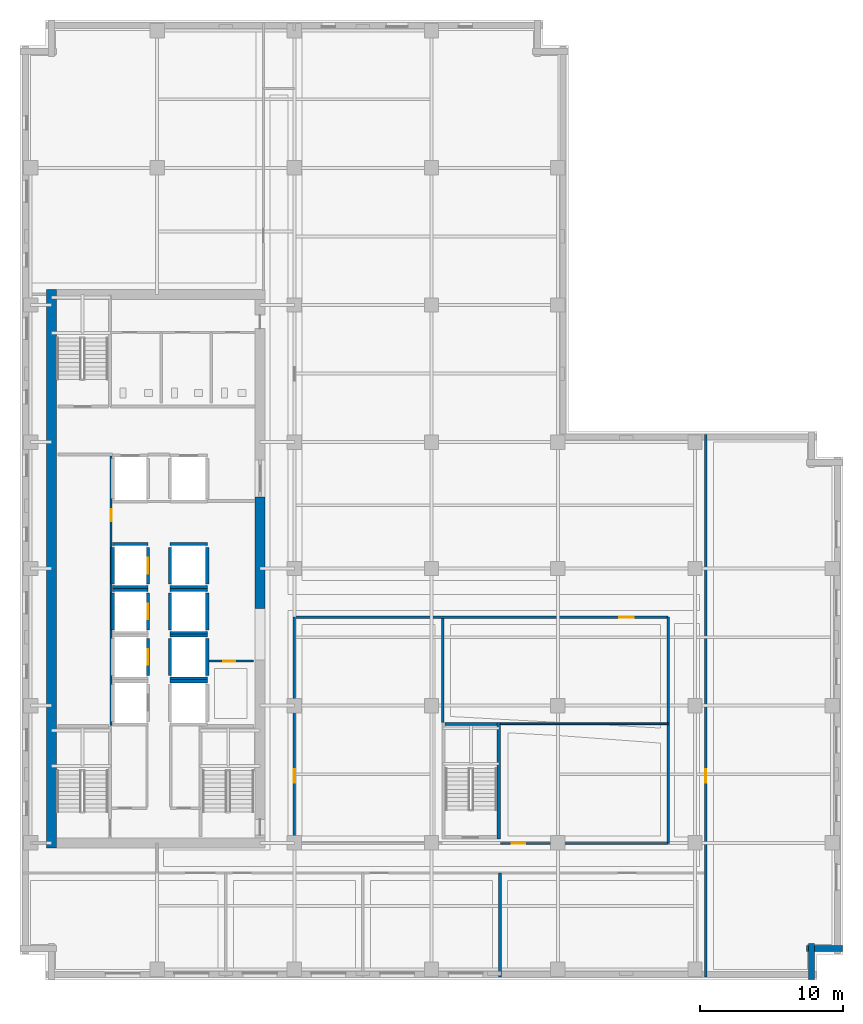
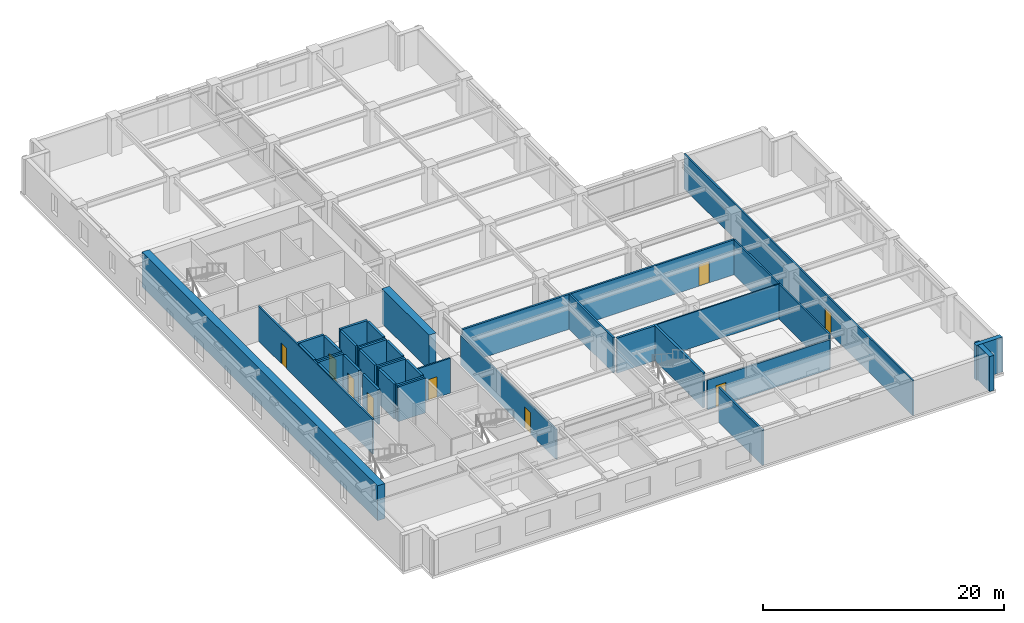
# One storey, part 4 of 11: 37 walls, 9 doors, 9 openings.
"""IFC4 building model written with IfcOpenShell, lengths in metres."""

from ifc_helpers import new_model, si_unit, direction, frame, frame_2d, origin, place, context, subcontext, project, spatial, rectangle, extrude, material, layer, layer_set, type_object, element, fill, save


model = new_model("IFC4")

# Units and contexts
model_context = context("Model", 3, precision=1e-05, world=origin(), true_north=direction((0.0, 1.0)))
body_context = subcontext(model_context, "Body", "Model", "MODEL_VIEW")
ifc_project = project(units=[si_unit("LENGTHUNIT", "METRE"), si_unit("AREAUNIT", "SQUARE_METRE"), si_unit("VOLUMEUNIT", "CUBIC_METRE"), si_unit("PLANEANGLEUNIT", "RADIAN"), si_unit("MASSUNIT", "GRAM", prefix="KILO")], contexts=[model_context])

# Site, building, storey
site_placement = place(None, origin())
site = spatial("IfcSite", under=ifc_project, at=site_placement, CompositionType="ELEMENT")
building_placement = place(site_placement, origin())
building = spatial("IfcBuilding", under=site, at=building_placement, Name="Norrvale University Quadrangle", CompositionType="ELEMENT")
storey_placement = place(building_placement, frame((0.0, 0.0, 128.0)))
storey = spatial("IfcBuildingStorey", under=building, at=storey_placement, Name="L32", CompositionType="ELEMENT", Elevation=128.0)

# Walls
ifc_material_1 = material(Name="Buff Norman Clay Brick Masonry", Category="masonry")
ifc_layer_1 = layer(ifc_material_1, 0.419921875, Name="Buff Norman Clay Brick Masonry")
ifc_layer_set_1 = layer_set([ifc_layer_1], Name="Buff Norman Clay Brick Masonry")
wall_type_1 = type_object("IfcWallType", Name="Wall Buff Brick 420", PredefinedType="SOLIDWALL", material=ifc_layer_set_1)
for number, where, z_axis, x_axis, name in (
    (1, (55.409912109375, 0.0400390625, 0.0), (0.0, 0.0, 1.0), (0.0, 1.0, 0.0), "Exterior Brick Facade Wall L32-02.1"),
    (2, (55.06005859375, 2.18994140625, 0.0), (0.0, 0.0, 1.0), (1.0, 0.0, 0.0), "Exterior Brick Facade Wall L32-03.1"),
):
    element("IfcWall", number, at=place(storey_placement, frame(where, z_axis=z_axis, x_axis=x_axis)), inside=storey, type_object=wall_type_1, Name=name, PredefinedType="SOLIDWALL", context=body_context, shape_type="SweptSolid", body=[
        extrude(rectangle(XDim=2.5, YDim=0.419921875, at=frame_2d((1.25, 0.0))), origin(), (0.0, 0.0, 1.0), 3.5400390625),
    ])
ifc_material_2 = material(Name="Concrete C60/75", Category="concrete")
ifc_layer_2 = layer(ifc_material_2, 0.699951171875, Name="Concrete C60/75")
ifc_layer_set_2 = layer_set([ifc_layer_2], Name="Concrete C60/75")
wall_type_2 = type_object("IfcWallType", Name="Wall Core 700", PredefinedType="SHEAR", material=ifc_layer_set_2)
wall_1_placement = place(storey_placement, frame((2.199951171875, 9.25, 0.0), z_axis=(0.0, 0.0, 1.0), x_axis=(0.0, 1.0, 0.0)))
element("IfcWall", 3, at=wall_1_placement, inside=storey, type_object=wall_type_2, Name="Tower Core Shear Wall L32-W", PredefinedType="SHEAR", context=body_context, shape_type="SweptSolid", body=[
    extrude(rectangle(XDim=39.10009765625, YDim=0.699951171875, at=frame_2d((19.550048828125, 0.0))), origin(), (0.0, 0.0, 1.0), 3.5400390625),
])
wall_2_placement = place(storey_placement, frame((16.800048828125, 26.0, 0.0), z_axis=(0.0, 0.0, 1.0), x_axis=(0.0, 1.0, 0.0)))
element("IfcWall", 4, at=wall_2_placement, inside=storey, type_object=wall_type_2, Name="Tower Core Shear Wall L32-E2", PredefinedType="SHEAR", context=body_context, shape_type="SweptSolid", body=[
    extrude(rectangle(XDim=7.800048828125, YDim=0.699951171875, at=frame_2d((3.89990234375, 0.0))), origin(), (0.0, 0.0, 1.0), 3.5400390625),
])
ifc_material_3 = material(Name="Standard Academic Gypsum Partition")
ifc_layer_3 = layer(ifc_material_3, 0.125, Name="Standard Academic Gypsum Partition")
ifc_layer_set_3 = layer_set([ifc_layer_3], Name="Standard Academic Gypsum Partition")
wall_type_3 = type_object("IfcWallType", Name="Wall Gypsum Academic 125", PredefinedType="PARTITIONING", material=ifc_layer_set_3)
wall_3_placement = place(storey_placement, frame((33.6201171875, 17.93994140625, 0.0), z_axis=(0.0, 0.0, 1.0), x_axis=(1.0, 0.0, 0.0)))
element("IfcWall", 5, at=wall_3_placement, inside=storey, type_object=wall_type_3, Name="Interior Partition WL-L32-ISLH", PredefinedType="PARTITIONING", context=body_context, shape_type="SweptSolid", body=[
    extrude(rectangle(XDim=11.7548828125, YDim=0.125, at=frame_2d((5.87744140625, 0.0))), origin(), (0.0, 0.0, 1.0), 3.5400390625),
])

# Wall, opening, door
ifc_material_4 = material(Name="Fire-Rated Gypsum Stud Partition")
ifc_layer_4 = layer(ifc_material_4, 0.14990234375, Name="Fire-Rated Gypsum Stud Partition")
ifc_layer_set_4 = layer_set([ifc_layer_4], Name="Fire-Rated Gypsum Stud Partition")
wall_type_4 = type_object("IfcWallType", Name="Wall Gypsum Corridor 150", PredefinedType="PARTITIONING", material=ifc_layer_set_4)
wall_4_placement = place(storey_placement, frame((13.22509765625, 22.320068359375, 0.0), z_axis=(0.0, 0.0, 1.0), x_axis=(1.0, 0.0, 0.0)))
wall_4 = element("IfcWall", 6, at=wall_4_placement, inside=storey, type_object=wall_type_4, Name="Interior Partition WL-L32-JAN-N", PredefinedType="PARTITIONING", context=body_context, shape_type="SweptSolid", body=[
    extrude(rectangle(XDim=3.119873046875, YDim=0.14990234375, at=frame_2d((1.56005859375, 0.0))), origin(), (0.0, 0.0, 1.0), 3.5400390625),
])
opening_1_placement = place(wall_4_placement, frame((1.0, 0.0, 0.0)))
opening_1 = element("IfcOpeningElement", 7, at=opening_1_placement, cuts=wall_4, Name="Opening D10", PredefinedType="OPENING", context=body_context, shape_type="SweptSolid", body=[
    extrude(rectangle(XDim=0.85009765625, YDim=2.10009765625, at=frame_2d((0.425048828125, 1.050048828125))), frame((0.0, 0.0869140625, 0.0), z_axis=(0.0, -1.0, 0.0), x_axis=(1.0, 0.0, 0.0)), (0.0, 0.0, 1.0), 0.173828125),
])
ifc_material_5 = material(Name="Hollow Steel 350W Riser Fire Door", Category="steel")
door_type_1 = type_object("IfcDoorType", Name="Door Riser 850x2100", OperationType="NOTDEFINED", PredefinedType="DOOR", material=ifc_material_5)
door_1_placement = place(opening_1_placement, origin())
door_1 = element("IfcDoor", 8, at=door_1_placement, inside=storey, type_object=door_type_1, Name="Door Riser 850x2100 DR-L32-JAN", OperationType="SINGLE_SWING_LEFT", OverallHeight=2.10009765625, OverallWidth=0.85009765625, PredefinedType="DOOR", context=body_context, shape_type="SweptSolid", body=[
    extrude(rectangle(XDim=0.85009765625, YDim=2.10009765625, at=frame_2d((0.425048828125, 1.050048828125))), frame((0.0, 0.02490234375, 0.0), z_axis=(0.0, -1.0, 0.0), x_axis=(1.0, 0.0, 0.0)), (0.0, 0.0, 1.0), 0.050048828125),
])
fill(opening_1, door_1)

wall_5_placement = place(storey_placement, frame((6.3798828125, 17.800048828125, 0.0), z_axis=(0.0, 0.0, 1.0), x_axis=(0.0, 1.0, 0.0)))
wall_5 = element("IfcWall", 9, at=wall_5_placement, inside=storey, type_object=wall_type_4, Name="Interior Partition WL-L32-WME-E", PredefinedType="PARTITIONING", context=body_context, shape_type="SweptSolid", body=[
    extrude(rectangle(XDim=18.97998046875, YDim=0.14990234375, at=frame_2d((9.489990234375, 0.0))), origin(), (0.0, 0.0, 1.0), 3.5400390625),
])
opening_2_placement = place(wall_5_placement, frame((14.300048828125, 0.0, 0.0)))
opening_2 = element("IfcOpeningElement", 10, at=opening_2_placement, cuts=wall_5, Name="Opening D10", PredefinedType="OPENING", context=body_context, shape_type="SweptSolid", body=[
    extrude(rectangle(XDim=0.85009765625, YDim=2.10009765625, at=frame_2d((0.425048828125, 1.050048828125))), frame((0.0, 0.0869140625, 0.0), z_axis=(0.0, -1.0, 0.0), x_axis=(1.0, 0.0, 0.0)), (0.0, 0.0, 1.0), 0.173828125),
])
door_2_placement = place(opening_2_placement, origin())
door_2 = element("IfcDoor", 11, at=door_2_placement, inside=storey, type_object=door_type_1, Name="Door Riser 850x2100 DR-L32-WME", OperationType="SINGLE_SWING_LEFT", OverallHeight=2.10009765625, OverallWidth=0.85009765625, PredefinedType="DOOR", context=body_context, shape_type="SweptSolid", body=[
    extrude(rectangle(XDim=0.85009765625, YDim=2.10009765625, at=frame_2d((0.425048828125, 1.050048828125))), frame((0.0, 0.02490234375, 0.0), z_axis=(0.0, -1.0, 0.0), x_axis=(1.0, 0.0, 0.0)), (0.0, 0.0, 1.0), 0.050048828125),
])
fill(opening_2, door_2)

wall_6_placement = place(storey_placement, frame((48.0, 0.219970703125, 0.0), z_axis=(0.0, 0.0, 1.0), x_axis=(0.0, 1.0, 0.0)))
wall_6 = element("IfcWall", 12, at=wall_6_placement, inside=storey, type_object=wall_type_4, Name="Interior Partition WL-L32-ECW", PredefinedType="PARTITIONING", context=body_context, shape_type="SweptSolid", body=[
    extrude(rectangle(XDim=37.9599609375, YDim=0.14990234375, at=frame_2d((18.97998046875, 0.0))), origin(), (0.0, 0.0, 1.0), 3.5400390625),
])
opening_3_placement = place(wall_6_placement, frame((13.580078125, 0.0, 0.0)))
opening_3 = element("IfcOpeningElement", 13, at=opening_3_placement, cuts=wall_6, Name="Opening D07", PredefinedType="OPENING", context=body_context, shape_type="SweptSolid", body=[
    extrude(rectangle(XDim=0.949951171875, YDim=2.14990234375, at=frame_2d((0.47509765625, 1.074951171875))), frame((0.0, 0.0869140625, 0.0), z_axis=(0.0, -1.0, 0.0), x_axis=(1.0, 0.0, 0.0)), (0.0, 0.0, 1.0), 0.173828125),
])
ifc_material_6 = material(Name="Solid-Core Maple Door", Category="wood")
door_type_2 = type_object("IfcDoorType", Name="Door Office 950x2150", OperationType="NOTDEFINED", PredefinedType="DOOR", material=ifc_material_6)
door_3_placement = place(opening_3_placement, origin())
door_3 = element("IfcDoor", 14, at=door_3_placement, inside=storey, type_object=door_type_2, Name="Door Office 950x2150 DR-L32-E01", OperationType="SINGLE_SWING_RIGHT", OverallHeight=2.14990234375, OverallWidth=0.949951171875, PredefinedType="DOOR", context=body_context, shape_type="SweptSolid", body=[
    extrude(rectangle(XDim=0.949951171875, YDim=2.14990234375, at=frame_2d((0.47509765625, 1.074951171875))), frame((0.0, 0.02490234375, 0.0), z_axis=(0.0, -1.0, 0.0), x_axis=(1.0, 0.0, 0.0)), (0.0, 0.0, 1.0), 0.050048828125),
])
fill(opening_3, door_3)

wall_7_placement = place(storey_placement, frame((19.199951171875, 9.550048828125, 0.0), z_axis=(0.0, 0.0, 1.0), x_axis=(0.0, 1.0, 0.0)))
wall_7 = element("IfcWall", 15, at=wall_7_placement, inside=storey, type_object=wall_type_4, Name="Interior Partition WL-L32-ISLW", PredefinedType="PARTITIONING", context=body_context, shape_type="SweptSolid", body=[
    extrude(rectangle(XDim=15.849853515625, YDim=0.14990234375, at=frame_2d((7.9248046875, 0.0))), origin(), (0.0, 0.0, 1.0), 2.99609375),
])
opening_4_placement = place(wall_7_placement, frame((4.25, 0.0, 0.0)))
opening_4 = element("IfcOpeningElement", 16, at=opening_4_placement, cuts=wall_7, Name="Opening D07", PredefinedType="OPENING", context=body_context, shape_type="SweptSolid", body=[
    extrude(rectangle(XDim=0.949951171875, YDim=2.14990234375, at=frame_2d((0.47509765625, 1.074951171875))), frame((0.0, 0.0869140625, 0.0), z_axis=(0.0, -1.0, 0.0), x_axis=(1.0, 0.0, 0.0)), (0.0, 0.0, 1.0), 0.173828125),
])
door_4_placement = place(opening_4_placement, origin())
door_4 = element("IfcDoor", 17, at=door_4_placement, inside=storey, type_object=door_type_2, Name="Door Office 950x2150 DR-L32-IW1", OperationType="SINGLE_SWING_LEFT", OverallHeight=2.14990234375, OverallWidth=0.949951171875, PredefinedType="DOOR", context=body_context, shape_type="SweptSolid", body=[
    extrude(rectangle(XDim=0.949951171875, YDim=2.14990234375, at=frame_2d((0.47509765625, 1.074951171875))), frame((0.0, 0.02490234375, 0.0), z_axis=(0.0, -1.0, 0.0), x_axis=(1.0, 0.0, 0.0)), (0.0, 0.0, 1.0), 0.050048828125),
])
fill(opening_4, door_4)

wall_8_placement = place(storey_placement, frame((33.6201171875, 9.550048828125, 0.0), z_axis=(0.0, 0.0, 1.0), x_axis=(1.0, 0.0, 0.0)))
wall_8 = element("IfcWall", 18, at=wall_8_placement, inside=storey, type_object=wall_type_4, Name="Interior Partition WL-L32-ISLS2", PredefinedType="PARTITIONING", context=body_context, shape_type="SweptSolid", body=[
    extrude(rectangle(XDim=11.7548828125, YDim=0.14990234375, at=frame_2d((5.87744140625, 0.0))), origin(), (0.0, 0.0, 1.0), 2.99609375),
])
opening_5_placement = place(wall_8_placement, frame((0.800048828125, 0.0, 0.0)))
opening_5 = element("IfcOpeningElement", 19, at=opening_5_placement, cuts=wall_8, Name="Opening D07", PredefinedType="OPENING", context=body_context, shape_type="SweptSolid", body=[
    extrude(rectangle(XDim=0.949951171875, YDim=2.14990234375, at=frame_2d((0.47509765625, 1.074951171875))), frame((0.0, 0.0869140625, 0.0), z_axis=(0.0, -1.0, 0.0), x_axis=(1.0, 0.0, 0.0)), (0.0, 0.0, 1.0), 0.173828125),
])
door_5_placement = place(opening_5_placement, origin())
door_5 = element("IfcDoor", 20, at=door_5_placement, inside=storey, type_object=door_type_2, Name="Door Office 950x2150 DR-L32-ISE", OperationType="SINGLE_SWING_LEFT", OverallHeight=2.14990234375, OverallWidth=0.949951171875, PredefinedType="DOOR", context=body_context, shape_type="SweptSolid", body=[
    extrude(rectangle(XDim=0.949951171875, YDim=2.14990234375, at=frame_2d((0.47509765625, 1.074951171875))), frame((0.0, 0.02490234375, 0.0), z_axis=(0.0, -1.0, 0.0), x_axis=(1.0, 0.0, 0.0)), (0.0, 0.0, 1.0), 0.050048828125),
])
fill(opening_5, door_5)

# Walls
wall_9_placement = place(storey_placement, frame((45.375, 9.550048828125, 0.0), z_axis=(0.0, 0.0, 1.0), x_axis=(0.0, 1.0, 0.0)))
element("IfcWall", 21, at=wall_9_placement, inside=storey, type_object=wall_type_4, Name="Interior Partition WL-L32-ISLE", PredefinedType="PARTITIONING", context=body_context, shape_type="SweptSolid", body=[
    extrude(rectangle(XDim=15.849853515625, YDim=0.14990234375, at=frame_2d((7.9248046875, 0.0))), origin(), (0.0, 0.0, 1.0), 3.5400390625),
])
ifc_material_7 = material(Name="Acoustic Double-Stud Gypsum Partition")
ifc_layer_5 = layer(ifc_material_7, 0.179931640625, Name="Acoustic Double-Stud Gypsum Partition")
ifc_layer_set_5 = layer_set([ifc_layer_5], Name="Acoustic Double-Stud Gypsum Partition")
wall_type_5 = type_object("IfcWallType", Name="Wall Gypsum Lecture 180", PredefinedType="PARTITIONING", material=ifc_layer_set_5)
for number, where, z_axis, x_axis, name in (
    (22, (33.60009765625, 0.219970703125, 0.0), (0.0, 0.0, 1.0), (0.0, 1.0, 0.0), "Interior Partition WL-L32-SP03"),
    (23, (29.580078125, 18.02490234375, 0.0), (0.0, 0.0, 1.0), (0.0, 1.0, 0.0), "Interior Partition WL-L32-ISLD"),
):
    element("IfcWall", number, at=place(storey_placement, frame(where, z_axis=z_axis, x_axis=x_axis)), inside=storey, type_object=wall_type_5, Name=name, PredefinedType="PARTITIONING", context=body_context, shape_type="SweptSolid", body=[
        extrude(rectangle(XDim=7.280029296875, YDim=0.179931640625, at=frame_2d((3.64013671875, 0.0))), origin(), (0.0, 0.0, 1.0), 3.5400390625),
    ])

# Wall, opening, door
wall_10_placement = place(storey_placement, frame((19.280029296875, 25.39990234375, 0.0), z_axis=(0.0, 0.0, 1.0), x_axis=(1.0, 0.0, 0.0)))
wall_10 = element("IfcWall", 24, at=wall_10_placement, inside=storey, type_object=wall_type_5, Name="Interior Partition WL-L32-ISLN", PredefinedType="PARTITIONING", context=body_context, shape_type="SweptSolid", body=[
    extrude(rectangle(XDim=26.094970703125, YDim=0.179931640625, at=frame_2d((13.04736328125, 0.0))), origin(), (0.0, 0.0, 1.0), 3.5400390625),
])
opening_6_placement = place(wall_10_placement, frame((22.669921875, 0.0, 0.0)))
opening_6 = element("IfcOpeningElement", 25, at=opening_6_placement, cuts=wall_10, Name="Opening D04", PredefinedType="OPENING", context=body_context, shape_type="SweptSolid", body=[
    extrude(rectangle(XDim=1.0, YDim=2.199951171875, at=frame_2d((0.5, 1.10009765625))), frame((0.0, 0.10205078125, 0.0), z_axis=(0.0, -1.0, 0.0), x_axis=(1.0, 0.0, 0.0)), (0.0, 0.0, 1.0), 0.203857421875),
])
ifc_material_8 = material(Name="Solid-Core Oak Fire Door", Category="wood")
door_type_3 = type_object("IfcDoorType", Name="Door Corridor 1000x2200", OperationType="NOTDEFINED", PredefinedType="DOOR", material=ifc_material_8)
door_6_placement = place(opening_6_placement, origin())
door_6 = element("IfcDoor", 26, at=door_6_placement, inside=storey, type_object=door_type_3, Name="Door Corridor 1000x2200 DR-L32-ILH", OperationType="SINGLE_SWING_RIGHT", OverallHeight=2.199951171875, OverallWidth=1.0, PredefinedType="DOOR", context=body_context, shape_type="SweptSolid", body=[
    extrude(rectangle(XDim=1.0, YDim=2.199951171875, at=frame_2d((0.5, 1.10009765625))), frame((0.0, 0.02490234375, 0.0), z_axis=(0.0, -1.0, 0.0), x_axis=(1.0, 0.0, 0.0)), (0.0, 0.0, 1.0), 0.050048828125),
])
fill(opening_6, door_6)

# Walls
ifc_material_9 = material(Name="Concrete Blockwork 20 MPa Fire Shaft", Category="masonry")
ifc_layer_6 = layer(ifc_material_9, 0.219970703125, Name="Concrete Blockwork 20 MPa Fire Shaft")
ifc_layer_set_6 = layer_set([ifc_layer_6], Name="Concrete Blockwork 20 MPa Fire Shaft")
wall_type_6 = type_object("IfcWallType", Name="Wall Shaft 220", PredefinedType="SOLIDWALL", material=ifc_layer_set_6)
wall_11_placement = place(storey_placement, frame((33.510009765625, 9.8798828125, 0.0), z_axis=(0.0, 0.0, 1.0), x_axis=(0.0, 1.0, 0.0)))
element("IfcWall", 27, at=wall_11_placement, inside=storey, type_object=wall_type_6, Name="Stair ST-04 East Shaft Wall L32", PredefinedType="SOLIDWALL", context=body_context, shape_type="SweptSolid", body=[
    extrude(rectangle(XDim=8.14013671875, YDim=0.219970703125, at=frame_2d((4.070068359375, 0.0))), origin(), (0.0, 0.0, 1.0), 3.5400390625),
])
wall_12_placement = place(storey_placement, frame((29.75, 17.909912109375, 0.0), z_axis=(0.0, 0.0, 1.0), x_axis=(1.0, 0.0, 0.0)))
element("IfcWall", 28, at=wall_12_placement, inside=storey, type_object=wall_type_6, Name="Stair ST-04 North Shaft Wall L32", PredefinedType="SOLIDWALL", context=body_context, shape_type="SweptSolid", body=[
    extrude(rectangle(XDim=3.64990234375, YDim=0.219970703125, at=frame_2d((1.824951171875, 0.0))), origin(), (0.0, 0.0, 1.0), 3.5400390625),
])

# Wall, opening, door
wall_13_placement = place(storey_placement, frame((8.9599609375, 21.31005859375, 0.0), z_axis=(0.0, 0.0, 1.0), x_axis=(0.0, 1.0, 0.0)))
wall_13 = element("IfcWall", 29, at=wall_13_placement, inside=storey, type_object=wall_type_6, Name="Hoistway PL-02 East Wall L32", PredefinedType="SOLIDWALL", context=body_context, shape_type="SweptSolid", body=[
    extrude(rectangle(XDim=2.579833984375, YDim=0.219970703125, at=frame_2d((1.2900390625, 0.0))), origin(), (0.0, 0.0, 1.0), 3.5400390625),
])
opening_7_placement = place(wall_13_placement, frame((0.739990234375, 0.0, 0.0)))
opening_7 = element("IfcOpeningElement", 30, at=opening_7_placement, cuts=wall_13, Name="Opening LD1", PredefinedType="OPENING", context=body_context, shape_type="SweptSolid", body=[
    extrude(rectangle(XDim=1.10009765625, YDim=2.199951171875, at=frame_2d((0.550048828125, 1.10009765625))), frame((0.0, 0.1220703125, 0.0), z_axis=(0.0, -1.0, 0.0), x_axis=(1.0, 0.0, 0.0)), (0.0, 0.0, 1.0), 0.243896484375),
])
ifc_material_10 = material(Name="Stainless Steel 316L Lift Landing Door", Category="steel")
door_type_4 = type_object("IfcDoorType", Name="Door Lift Landing 1100x2200", OperationType="DOUBLE_DOOR_SLIDING", PredefinedType="DOOR", material=ifc_material_10)
door_7_placement = place(opening_7_placement, origin())
door_7 = element("IfcDoor", 31, at=door_7_placement, inside=storey, type_object=door_type_4, Name="Elevator Landing Door DR-L32-PL-02", OperationType="DOUBLE_DOOR_SLIDING", OverallHeight=2.199951171875, OverallWidth=1.10009765625, PredefinedType="DOOR", context=body_context, shape_type="SweptSolid", body=[
    extrude(rectangle(XDim=1.10009765625, YDim=2.199951171875, at=frame_2d((0.550048828125, 1.10009765625))), frame((0.0, 0.02490234375, 0.0), z_axis=(0.0, -1.0, 0.0), x_axis=(1.0, 0.0, 0.0)), (0.0, 0.0, 1.0), 0.050048828125),
])
fill(opening_7, door_7)

# Wall
wall_14_placement = place(storey_placement, frame((6.489990234375, 24.510009765625, 0.0), z_axis=(0.0, 0.0, 1.0), x_axis=(0.0, 1.0, 0.0)))
element("IfcWall", 32, at=wall_14_placement, inside=storey, type_object=wall_type_6, Name="Hoistway PL-03 West Wall L32", PredefinedType="SOLIDWALL", context=body_context, shape_type="SweptSolid", body=[
    extrude(rectangle(XDim=2.580078125, YDim=0.219970703125, at=frame_2d((1.2900390625, 0.0))), origin(), (0.0, 0.0, 1.0), 3.5400390625),
])

# Wall, opening, door
wall_15_placement = place(storey_placement, frame((8.9599609375, 24.510009765625, 0.0), z_axis=(0.0, 0.0, 1.0), x_axis=(0.0, 1.0, 0.0)))
wall_15 = element("IfcWall", 33, at=wall_15_placement, inside=storey, type_object=wall_type_6, Name="Hoistway PL-03 East Wall L32", PredefinedType="SOLIDWALL", context=body_context, shape_type="SweptSolid", body=[
    extrude(rectangle(XDim=2.580078125, YDim=0.219970703125, at=frame_2d((1.2900390625, 0.0))), origin(), (0.0, 0.0, 1.0), 3.5400390625),
])
opening_8_placement = place(wall_15_placement, frame((0.739990234375, 0.0, 0.0)))
opening_8 = element("IfcOpeningElement", 34, at=opening_8_placement, cuts=wall_15, Name="Opening LD1", PredefinedType="OPENING", context=body_context, shape_type="SweptSolid", body=[
    extrude(rectangle(XDim=1.10009765625, YDim=2.199951171875, at=frame_2d((0.550048828125, 1.10009765625))), frame((0.0, 0.1220703125, 0.0), z_axis=(0.0, -1.0, 0.0), x_axis=(1.0, 0.0, 0.0)), (0.0, 0.0, 1.0), 0.243896484375),
])
door_8_placement = place(opening_8_placement, origin())
door_8 = element("IfcDoor", 35, at=door_8_placement, inside=storey, type_object=door_type_4, Name="Elevator Landing Door DR-L32-PL-03", OperationType="DOUBLE_DOOR_SLIDING", OverallHeight=2.199951171875, OverallWidth=1.10009765625, PredefinedType="DOOR", context=body_context, shape_type="SweptSolid", body=[
    extrude(rectangle(XDim=1.10009765625, YDim=2.199951171875, at=frame_2d((0.550048828125, 1.10009765625))), frame((0.0, 0.02490234375, 0.0), z_axis=(0.0, -1.0, 0.0), x_axis=(1.0, 0.0, 0.0)), (0.0, 0.0, 1.0), 0.050048828125),
])
fill(opening_8, door_8)

# Walls
wall_16_placement = place(storey_placement, frame((6.489990234375, 27.31005859375, 0.0), z_axis=(0.0, 0.0, 1.0), x_axis=(1.0, 0.0, 0.0)))
element("IfcWall", 36, at=wall_16_placement, inside=storey, type_object=wall_type_6, Name="Hoistway PL-03 North Wall L32", PredefinedType="SOLIDWALL", context=body_context, shape_type="SweptSolid", body=[
    extrude(rectangle(XDim=2.469970703125, YDim=0.219970703125, at=frame_2d((1.23486328125, 0.0))), origin(), (0.0, 0.0, 1.0), 3.5400390625),
])
wall_17_placement = place(storey_placement, frame((6.489990234375, 27.7099609375, 0.0), z_axis=(0.0, 0.0, 1.0), x_axis=(0.0, 1.0, 0.0)))
element("IfcWall", 37, at=wall_17_placement, inside=storey, type_object=wall_type_6, Name="Hoistway PL-04 West Wall L32", PredefinedType="SOLIDWALL", context=body_context, shape_type="SweptSolid", body=[
    extrude(rectangle(XDim=2.580078125, YDim=0.219970703125, at=frame_2d((1.2900390625, 0.0))), origin(), (0.0, 0.0, 1.0), 3.5400390625),
])

# Wall, opening, door
wall_18_placement = place(storey_placement, frame((8.9599609375, 27.7099609375, 0.0), z_axis=(0.0, 0.0, 1.0), x_axis=(0.0, 1.0, 0.0)))
wall_18 = element("IfcWall", 38, at=wall_18_placement, inside=storey, type_object=wall_type_6, Name="Hoistway PL-04 East Wall L32", PredefinedType="SOLIDWALL", context=body_context, shape_type="SweptSolid", body=[
    extrude(rectangle(XDim=2.580078125, YDim=0.219970703125, at=frame_2d((1.2900390625, 0.0))), origin(), (0.0, 0.0, 1.0), 3.5400390625),
])
opening_9_placement = place(wall_18_placement, frame((0.739990234375, 0.0, 0.0)))
opening_9 = element("IfcOpeningElement", 39, at=opening_9_placement, cuts=wall_18, Name="Opening LD1", PredefinedType="OPENING", context=body_context, shape_type="SweptSolid", body=[
    extrude(rectangle(XDim=1.10009765625, YDim=2.199951171875, at=frame_2d((0.550048828125, 1.10009765625))), frame((0.0, 0.1220703125, 0.0), z_axis=(0.0, -1.0, 0.0), x_axis=(1.0, 0.0, 0.0)), (0.0, 0.0, 1.0), 0.243896484375),
])
door_9_placement = place(opening_9_placement, origin())
door_9 = element("IfcDoor", 40, at=door_9_placement, inside=storey, type_object=door_type_4, Name="Elevator Landing Door DR-L32-PL-04", OperationType="DOUBLE_DOOR_SLIDING", OverallHeight=2.199951171875, OverallWidth=1.10009765625, PredefinedType="DOOR", context=body_context, shape_type="SweptSolid", body=[
    extrude(rectangle(XDim=1.10009765625, YDim=2.199951171875, at=frame_2d((0.550048828125, 1.10009765625))), frame((0.0, 0.02490234375, 0.0), z_axis=(0.0, -1.0, 0.0), x_axis=(1.0, 0.0, 0.0)), (0.0, 0.0, 1.0), 0.050048828125),
])
fill(opening_9, door_9)

# Walls
for number, where, z_axis, x_axis, name in (
    (41, (6.489990234375, 27.489990234375, 0.0), (0.0, 0.0, 1.0), (1.0, 0.0, 0.0), "Hoistway PL-04 South Wall L32"),
    (42, (6.489990234375, 30.510009765625, 0.0), (0.0, 0.0, 1.0), (1.0, 0.0, 0.0), "Hoistway PL-04 North Wall L32"),
):
    element("IfcWall", number, at=place(storey_placement, frame(where, z_axis=z_axis, x_axis=x_axis)), inside=storey, type_object=wall_type_6, Name=name, PredefinedType="SOLIDWALL", context=body_context, shape_type="SweptSolid", body=[
        extrude(rectangle(XDim=2.469970703125, YDim=0.219970703125, at=frame_2d((1.23486328125, 0.0))), origin(), (0.0, 0.0, 1.0), 3.5400390625),
    ])
wall_19_placement = place(storey_placement, frame((10.489990234375, 20.909912109375, 0.0), z_axis=(0.0, 0.0, 1.0), x_axis=(1.0, 0.0, 0.0)))
element("IfcWall", 43, at=wall_19_placement, inside=storey, type_object=wall_type_6, Name="Hoistway PL-05 North Wall L32", PredefinedType="SOLIDWALL", context=body_context, shape_type="SweptSolid", body=[
    extrude(rectangle(XDim=2.6201171875, YDim=0.219970703125, at=frame_2d((1.31005859375, 0.0))), origin(), (0.0, 0.0, 1.0), 3.5400390625),
])
for number, where, z_axis, x_axis, name in (
    (44, (10.489990234375, 21.31005859375, 0.0), (0.0, 0.0, 1.0), (0.0, 1.0, 0.0), "Hoistway PL-06 West Wall L32"),
    (45, (13.110107421875, 21.31005859375, 0.0), (0.0, 0.0, 1.0), (0.0, 1.0, 0.0), "Hoistway PL-06 East Wall L32"),
):
    element("IfcWall", number, at=place(storey_placement, frame(where, z_axis=z_axis, x_axis=x_axis)), inside=storey, type_object=wall_type_6, Name=name, PredefinedType="SOLIDWALL", context=body_context, shape_type="SweptSolid", body=[
        extrude(rectangle(XDim=2.579833984375, YDim=0.219970703125, at=frame_2d((1.2900390625, 0.0))), origin(), (0.0, 0.0, 1.0), 3.5400390625),
    ])
for number, where, z_axis, x_axis, name in (
    (46, (10.489990234375, 21.090087890625, 0.0), (0.0, 0.0, 1.0), (1.0, 0.0, 0.0), "Hoistway PL-06 South Wall L32"),
    (47, (10.489990234375, 24.110107421875, 0.0), (0.0, 0.0, 1.0), (1.0, 0.0, 0.0), "Hoistway PL-06 North Wall L32"),
):
    element("IfcWall", number, at=place(storey_placement, frame(where, z_axis=z_axis, x_axis=x_axis)), inside=storey, type_object=wall_type_6, Name=name, PredefinedType="SOLIDWALL", context=body_context, shape_type="SweptSolid", body=[
        extrude(rectangle(XDim=2.6201171875, YDim=0.219970703125, at=frame_2d((1.31005859375, 0.0))), origin(), (0.0, 0.0, 1.0), 3.5400390625),
    ])
for number, where, z_axis, x_axis, name in (
    (48, (10.489990234375, 24.510009765625, 0.0), (0.0, 0.0, 1.0), (0.0, 1.0, 0.0), "Hoistway PL-07 West Wall L32"),
    (49, (13.110107421875, 24.510009765625, 0.0), (0.0, 0.0, 1.0), (0.0, 1.0, 0.0), "Hoistway PL-07 East Wall L32"),
):
    element("IfcWall", number, at=place(storey_placement, frame(where, z_axis=z_axis, x_axis=x_axis)), inside=storey, type_object=wall_type_6, Name=name, PredefinedType="SOLIDWALL", context=body_context, shape_type="SweptSolid", body=[
        extrude(rectangle(XDim=2.580078125, YDim=0.219970703125, at=frame_2d((1.2900390625, 0.0))), origin(), (0.0, 0.0, 1.0), 3.5400390625),
    ])
for number, where, z_axis, x_axis, name in (
    (50, (10.489990234375, 24.2900390625, 0.0), (0.0, 0.0, 1.0), (1.0, 0.0, 0.0), "Hoistway PL-07 South Wall L32"),
    (51, (10.489990234375, 27.31005859375, 0.0), (0.0, 0.0, 1.0), (1.0, 0.0, 0.0), "Hoistway PL-07 North Wall L32"),
):
    element("IfcWall", number, at=place(storey_placement, frame(where, z_axis=z_axis, x_axis=x_axis)), inside=storey, type_object=wall_type_6, Name=name, PredefinedType="SOLIDWALL", context=body_context, shape_type="SweptSolid", body=[
        extrude(rectangle(XDim=2.6201171875, YDim=0.219970703125, at=frame_2d((1.31005859375, 0.0))), origin(), (0.0, 0.0, 1.0), 3.5400390625),
    ])
for number, where, z_axis, x_axis, name in (
    (52, (10.489990234375, 27.7099609375, 0.0), (0.0, 0.0, 1.0), (0.0, 1.0, 0.0), "Hoistway PL-08 West Wall L32"),
    (53, (13.110107421875, 27.7099609375, 0.0), (0.0, 0.0, 1.0), (0.0, 1.0, 0.0), "Hoistway PL-08 East Wall L32"),
):
    element("IfcWall", number, at=place(storey_placement, frame(where, z_axis=z_axis, x_axis=x_axis)), inside=storey, type_object=wall_type_6, Name=name, PredefinedType="SOLIDWALL", context=body_context, shape_type="SweptSolid", body=[
        extrude(rectangle(XDim=2.580078125, YDim=0.219970703125, at=frame_2d((1.2900390625, 0.0))), origin(), (0.0, 0.0, 1.0), 3.5400390625),
    ])
for number, where, z_axis, x_axis, name in (
    (54, (10.489990234375, 27.489990234375, 0.0), (0.0, 0.0, 1.0), (1.0, 0.0, 0.0), "Hoistway PL-08 South Wall L32"),
    (55, (10.489990234375, 30.510009765625, 0.0), (0.0, 0.0, 1.0), (1.0, 0.0, 0.0), "Hoistway PL-08 North Wall L32"),
):
    element("IfcWall", number, at=place(storey_placement, frame(where, z_axis=z_axis, x_axis=x_axis)), inside=storey, type_object=wall_type_6, Name=name, PredefinedType="SOLIDWALL", context=body_context, shape_type="SweptSolid", body=[
        extrude(rectangle(XDim=2.6201171875, YDim=0.219970703125, at=frame_2d((1.31005859375, 0.0))), origin(), (0.0, 0.0, 1.0), 3.5400390625),
    ])

save(model, "model.ifc")
